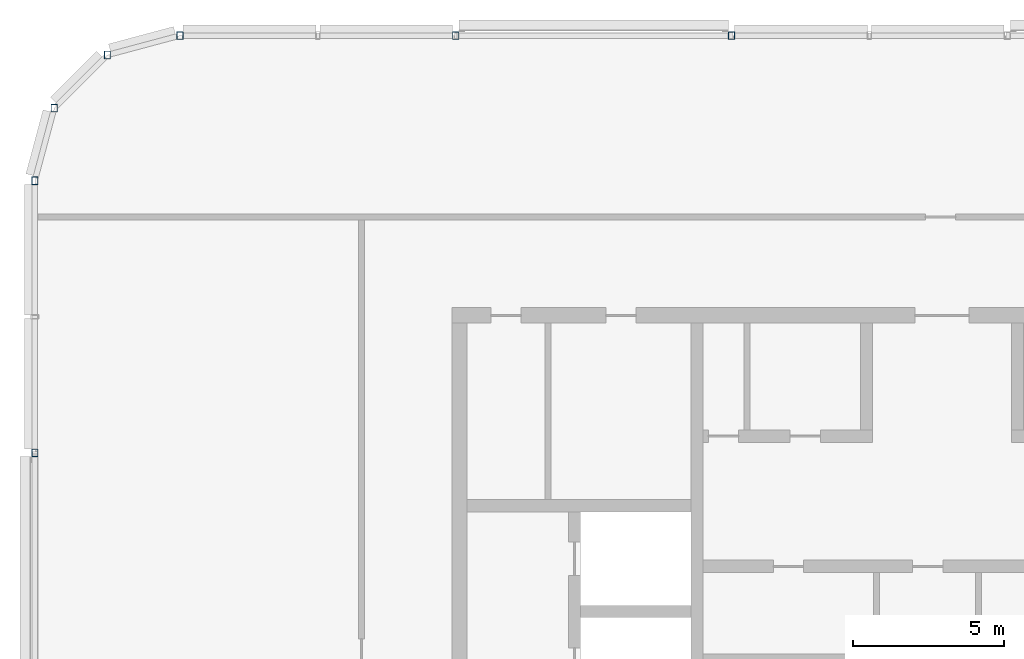
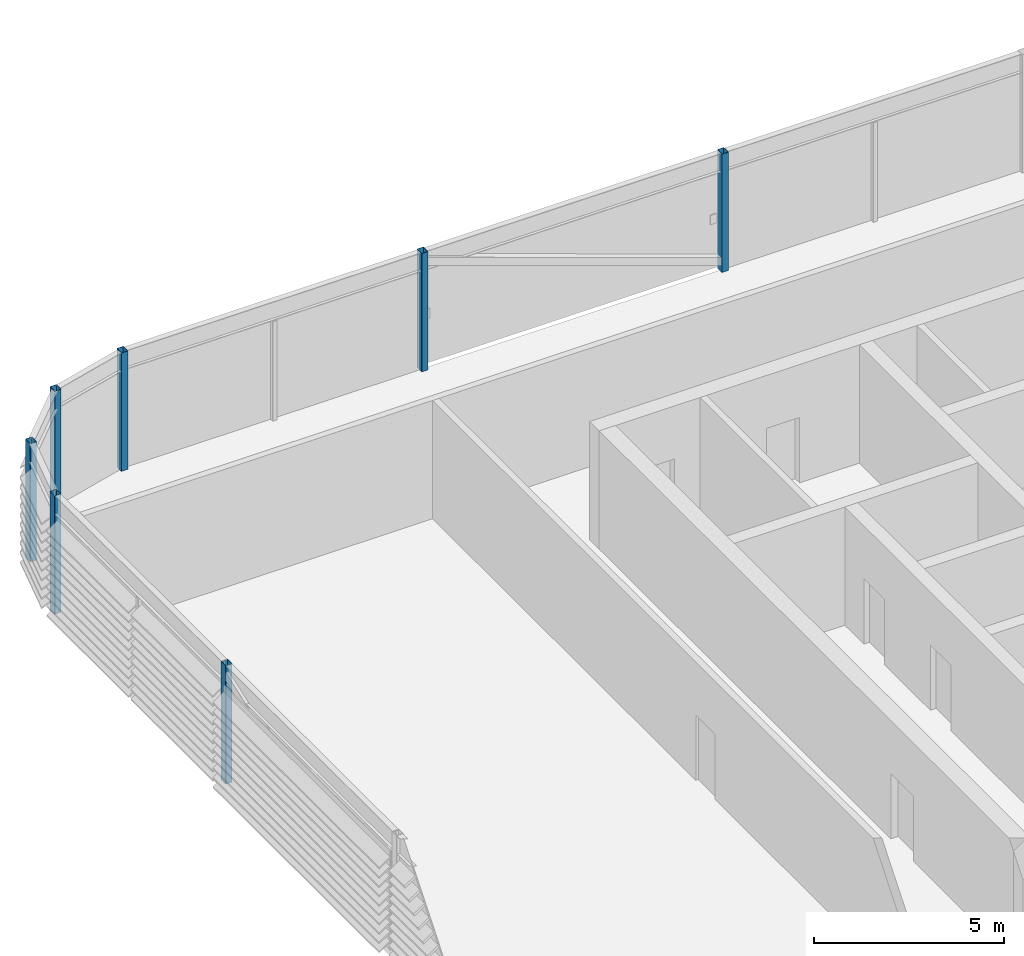
# One storey, part 3 of 28: 7 columns.
"""IFC4 building model written with IfcOpenShell, lengths in metres."""

from ifc_helpers import new_model, si_unit, direction, frame, origin, origin_2d, place, context, subcontext, project, spatial, hollow_rectangle, extrude, material, material_profile, profile_set, type_object, element, save


model = new_model("IFC4")

# Units and contexts
model_context = context("Model", 3, precision=1e-05, world=origin(), true_north=direction((0.0, 1.0)))
body_context = subcontext(model_context, "Body", "Model", "MODEL_VIEW")
ifc_project = project(units=[si_unit("LENGTHUNIT", "METRE"), si_unit("AREAUNIT", "SQUARE_METRE"), si_unit("VOLUMEUNIT", "CUBIC_METRE"), si_unit("PLANEANGLEUNIT", "RADIAN"), si_unit("MASSUNIT", "GRAM", prefix="KILO")], contexts=[model_context])

# Site, building, storey
site_placement = place(None, origin())
site = spatial("IfcSite", under=ifc_project, at=site_placement, CompositionType="ELEMENT")
building_placement = place(site_placement, origin())
building = spatial("IfcBuilding", under=site, at=building_placement, Name="Madar Terraces", CompositionType="ELEMENT")
storey_placement = place(building_placement, frame((0.0, 0.0, 305.89990234375)))
storey = spatial("IfcBuildingStorey", under=building, at=storey_placement, Name="L79", CompositionType="ELEMENT", Elevation=305.89990234375)

# Columns
ifc_material = material(Name="Steel ASTM A500 Grade C", Category="steel")
ifc_material_profile = material_profile(ifc_material, hollow_rectangle(XDim=0.203125, YDim=0.25390625, WallThickness=0.009521484375, InnerFilletRadius=0.00439453125, OuterFilletRadius=0.01318359375, at=origin_2d()), Name="HSS10x8x.375")
ifc_profile_set = profile_set([ifc_material_profile], Name="Steel ASTM A500 Grade C")
column_type = type_object("IfcColumnType", Name="CF1 HSS10x8x.375", PredefinedType="COLUMN", material=ifc_profile_set)
for number, where, z_axis, x_axis, name in (
    (1, (24.239990234375, 46.800048828125, 0.0), (0.0, 0.0, 1.0), (1.0, 0.0, 0.0), "Crown frame column CF1"),
    (2, (15.1201171875, 46.800048828125, 0.0), (0.0, 0.0, 1.0), (1.0, 0.0, 0.0), "Crown frame column CF1"),
    (3, (6.0, 46.800048828125, 0.0), (0.0, 0.0, 1.0), (1.0, 0.0, 0.0), "Crown frame column CF1"),
    (4, (3.60009765625, 46.156982421875, 0.0), (0.0, 0.0, 1.0), (1.0, 0.0, 0.0), "Crown frame column CF1"),
    (5, (1.843017578125, 44.39990234375, 0.0), (0.0, 0.0, 1.0), (1.0, 0.0, 0.0), "Crown frame column CF1"),
    (6, (1.199951171875, 42.0, 0.0), (0.0, 0.0, 1.0), (1.0, 0.0, 0.0), "Crown frame column CF1"),
    (7, (1.199951171875, 33.0, 0.0), (0.0, 0.0, 1.0), (1.0, 0.0, 0.0), "Crown frame column CF1"),
):
    element("IfcColumn", number, at=place(storey_placement, frame(where, z_axis=z_axis, x_axis=x_axis)), inside=storey, type_object=column_type, Name=name, PredefinedType="COLUMN", context=body_context, shape_type="SweptSolid", body=[
        extrude(hollow_rectangle(XDim=0.203125, YDim=0.25390625, WallThickness=0.009521484375, InnerFilletRadius=0.00439453125, OuterFilletRadius=0.01318359375, at=origin_2d()), origin(), (0.0, 0.0, 1.0), 3.800048828125),
    ])

save(model, "model.ifc")
